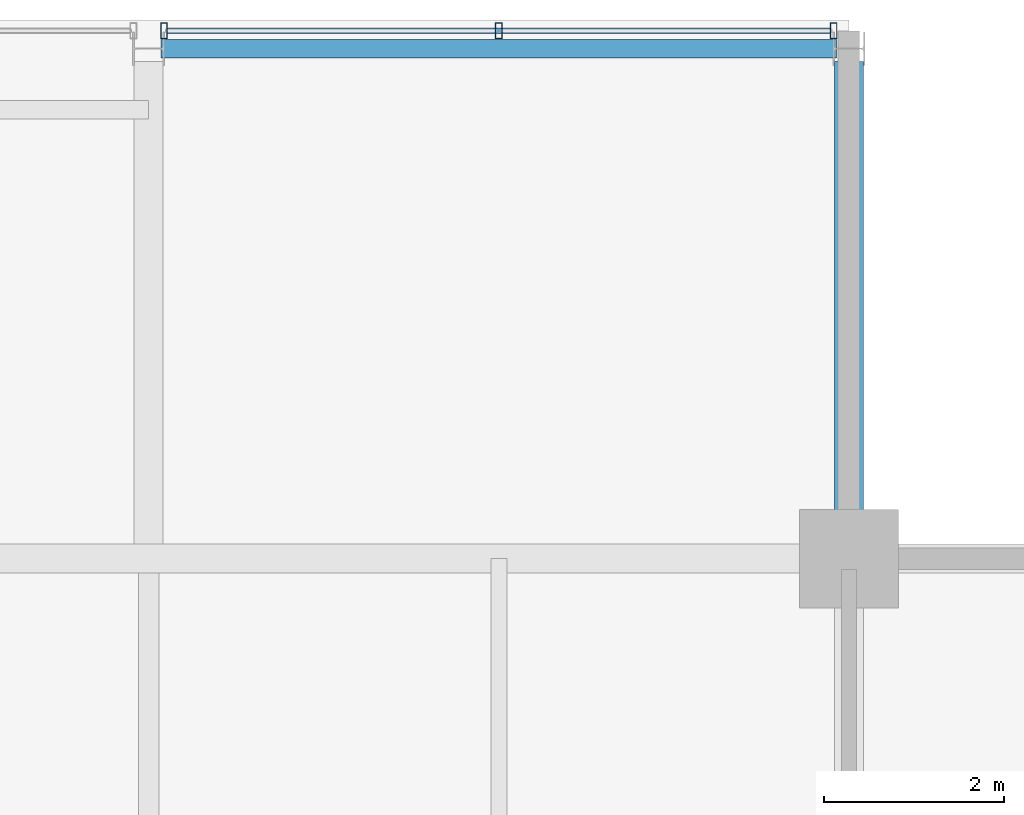
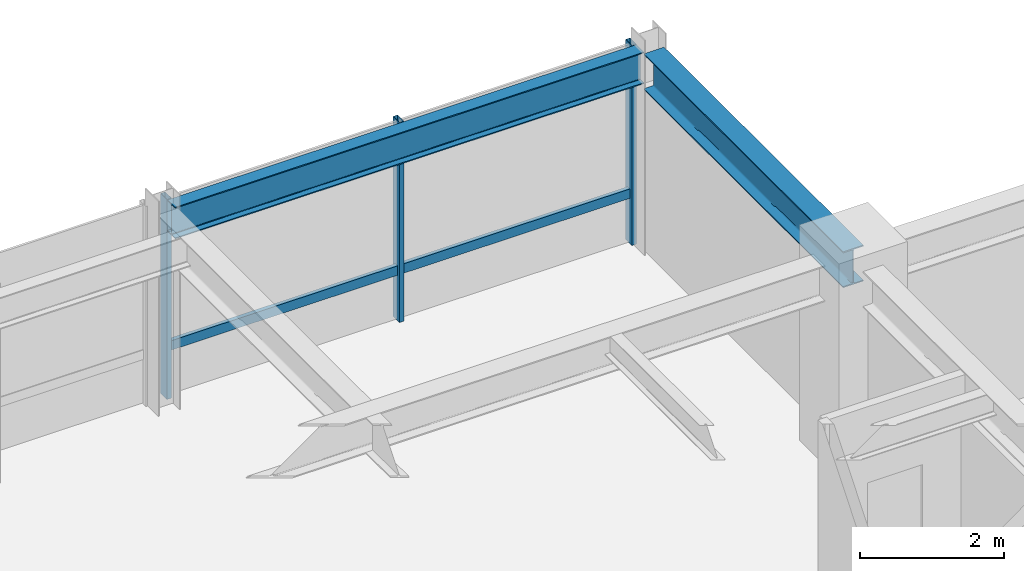
# One storey, part 26 of 33: 4 members, 2 beams, 1 element without a shape of its own.
"""IFC4 building model written with IfcOpenShell, lengths in metres."""

from ifc_helpers import new_model, si_unit, direction, frame, origin, origin_2d, place, context, subcontext, project, spatial, hollow_rectangle, i_section, extrude, material, layer, layer_set, material_profile, profile_set, type_object, element, aggregate, save


model = new_model("IFC4")

# Units and contexts
model_context = context("Model", 3, precision=1e-05, world=origin(), true_north=direction((0.0, 1.0)))
body_context = subcontext(model_context, "Body", "Model", "MODEL_VIEW")
ifc_project = project(units=[si_unit("LENGTHUNIT", "METRE"), si_unit("AREAUNIT", "SQUARE_METRE"), si_unit("VOLUMEUNIT", "CUBIC_METRE"), si_unit("PLANEANGLEUNIT", "RADIAN"), si_unit("MASSUNIT", "GRAM", prefix="KILO")], contexts=[model_context])

# Site, building, storey
site_placement = place(None, origin())
site = spatial("IfcSite", under=ifc_project, at=site_placement, CompositionType="ELEMENT")
building_placement = place(site_placement, origin())
building = spatial("IfcBuilding", under=site, at=building_placement, Name="Drelvath Grand Hotel", CompositionType="ELEMENT")
storey_placement = place(building_placement, frame((0.0, 0.0, 279.60009765625)))
storey = spatial("IfcBuildingStorey", under=building, at=storey_placement, Name="L73", CompositionType="ELEMENT", Elevation=279.60009765625)

# Curtain wall, members
ifc_material_1 = material(Name="Platinum-Mist Anodised Aluminium Frame", Category="aluminium")
ifc_layer = layer(ifc_material_1, 0.199951171875)
ifc_layer_set = layer_set([ifc_layer], Name="Platinum-Mist Anodised Aluminium Frame")
curtain_wall_type = type_object("IfcCurtainWallType", Name="Stick Curtain Wall CW-05 Platinum Mist High-Rise", PredefinedType="NOTDEFINED", material=ifc_layer_set)
curtain_wall_placement = place(storey_placement, origin())
curtain_wall = element("IfcCurtainWall", 1, at=curtain_wall_placement, inside=storey, type_object=curtain_wall_type, Name="L73 CW-05 Curtain Wall CW05-L73-NE2", PredefinedType="NOTDEFINED")
ifc_material_profile_1 = material_profile(ifc_material_1, hollow_rectangle(XDim=0.06494140625, YDim=0.159912109375, WallThickness=0.00390625, at=origin_2d()), Name="HSS160X65X4")
ifc_profile_set_1 = profile_set([ifc_material_profile_1], Name="Platinum-Mist Anodised Aluminium Frame")
member_type_1 = type_object("IfcMemberType", Name="Curtain Wall Horizontal Transom CW-05 HSS160X65X4", PredefinedType="USERDEFINED", material=ifc_profile_set_1)
member_1_placement = place(storey_placement, frame((8.610107421875, 49.080078125, 0.847412109375), z_axis=(1.0, 0.0, 0.0), x_axis=(0.0, 1.0, 0.0)))
member_1 = element("IfcMember", 2, at=member_1_placement, type_object=member_type_1, Name="CW05-L73-NE2 Sill Transom", ObjectType="TRANSOM", PredefinedType="USERDEFINED", context=body_context, shape_type="SweptSolid", body=[
    extrude(hollow_rectangle(XDim=0.06494140625, YDim=0.159912109375, WallThickness=0.00390625, at=origin_2d()), origin(), (0.0, 0.0, 1.0), 7.3798828125),
])
ifc_material_profile_2 = material_profile(ifc_material_1, hollow_rectangle(XDim=0.074951171875, YDim=0.179931640625, WallThickness=0.0048828125, at=origin_2d()), Name="HSS180X75X5")
ifc_profile_set_2 = profile_set([ifc_material_profile_2], Name="Platinum-Mist Anodised Aluminium Frame")
member_type_2 = type_object("IfcMemberType", Name="Curtain Wall Vertical Mullion CW-05 HSS180X75X5", PredefinedType="MULLION", material=ifc_profile_set_2)
member_2_placement = place(storey_placement, frame((8.570068359375, 49.080078125, 0.0), z_axis=(0.0, 0.0, 1.0), x_axis=(1.0, 0.0, 0.0)))
member_2 = element("IfcMember", 3, at=member_2_placement, type_object=member_type_2, Name="CW05-L73-NE2 Mullion 1", PredefinedType="MULLION", context=body_context, shape_type="SweptSolid", body=[
    extrude(hollow_rectangle(XDim=0.074951171875, YDim=0.179931640625, WallThickness=0.0048828125, at=origin_2d()), origin(), (0.0, 0.0, 1.0), 3.389892578125),
])
member_3_placement = place(storey_placement, frame((12.300048828125, 49.080078125, 0.0), z_axis=(0.0, 0.0, 1.0), x_axis=(1.0, 0.0, 0.0)))
member_3 = element("IfcMember", 4, at=member_3_placement, type_object=member_type_2, Name="CW05-L73-NE2 Mullion 2", PredefinedType="MULLION", context=body_context, shape_type="SweptSolid", body=[
    extrude(hollow_rectangle(XDim=0.074951171875, YDim=0.179931640625, WallThickness=0.0048828125, at=origin_2d()), origin(), (0.0, 0.0, 1.0), 3.389892578125),
])
member_4_placement = place(storey_placement, frame((16.02978515625, 49.080078125, 0.0), z_axis=(0.0, 0.0, 1.0), x_axis=(1.0, 0.0, 0.0)))
member_4 = element("IfcMember", 5, at=member_4_placement, type_object=member_type_2, Name="CW05-L73-NE2 Mullion 3", PredefinedType="MULLION", context=body_context, shape_type="SweptSolid", body=[
    extrude(hollow_rectangle(XDim=0.074951171875, YDim=0.179931640625, WallThickness=0.0048828125, at=origin_2d()), origin(), (0.0, 0.0, 1.0), 3.389892578125),
])
aggregate(curtain_wall, [member_2, member_3, member_4, member_1])

# Beams
ifc_material_2 = material(Name="Steel ASTM A992 Gr 50", Category="steel")
ifc_material_profile_3 = material_profile(ifc_material_2, i_section(OverallWidth=0.210205078125, OverallDepth=0.53662109375, WebThickness=0.010986328125, FlangeThickness=0.017333984375, FilletRadius=0.01806640625, at=origin_2d()), Name="W21X68")
ifc_profile_set_3 = profile_set([ifc_material_profile_3], Name="Steel ASTM A992 Gr 50")
beam_type_1 = type_object("IfcBeamType", Name="Perimeter Spandrel Beam W21X68", PredefinedType="SPANDREL", material=ifc_profile_set_3)
beam_1_placement = place(storey_placement, frame((8.5400390625, 48.8798828125, 3.12158203125), z_axis=(1.0, 0.0, 0.0), x_axis=(0.0, 1.0, 0.0)))
element("IfcBeam", 6, at=beam_1_placement, inside=storey, type_object=beam_type_1, Name="L73 Spandrel North E", PredefinedType="SPANDREL", context=body_context, shape_type="SweptSolid", body=[
    extrude(i_section(OverallWidth=0.210205078125, OverallDepth=0.53662109375, WebThickness=0.010986328125, FlangeThickness=0.017333984375, FilletRadius=0.01806640625, at=origin_2d()), origin(), (0.0, 0.0, 1.0), 7.52001953125),
])
ifc_material_profile_4 = material_profile(ifc_material_2, i_section(OverallWidth=0.323974609375, OverallDepth=0.611083984375, WebThickness=0.0126953125, FlangeThickness=0.01904296875, FilletRadius=0.02197265625, at=origin_2d()), Name="W24X104")
ifc_profile_set_4 = profile_set([ifc_material_profile_4], Name="Steel ASTM A992 Gr 50")
beam_type_2 = type_object("IfcBeamType", Name="Primary Floor Girder W24X104", PredefinedType="BEAM", material=ifc_profile_set_4)
beam_2_placement = place(storey_placement, frame((16.199951171875, 43.199951171875, 3.08447265625), z_axis=(0.0, 1.0, 0.0), x_axis=(-1.0, 0.0, 0.0)))
element("IfcBeam", 7, at=beam_2_placement, inside=storey, type_object=beam_type_2, Name="L73 North Grid Girder 7", PredefinedType="BEAM", context=body_context, shape_type="SweptSolid", body=[
    extrude(i_section(OverallWidth=0.323974609375, OverallDepth=0.611083984375, WebThickness=0.0126953125, FlangeThickness=0.01904296875, FilletRadius=0.02197265625, at=origin_2d()), origin(), (0.0, 0.0, 1.0), 5.5400390625),
])

save(model, "model.ifc")
